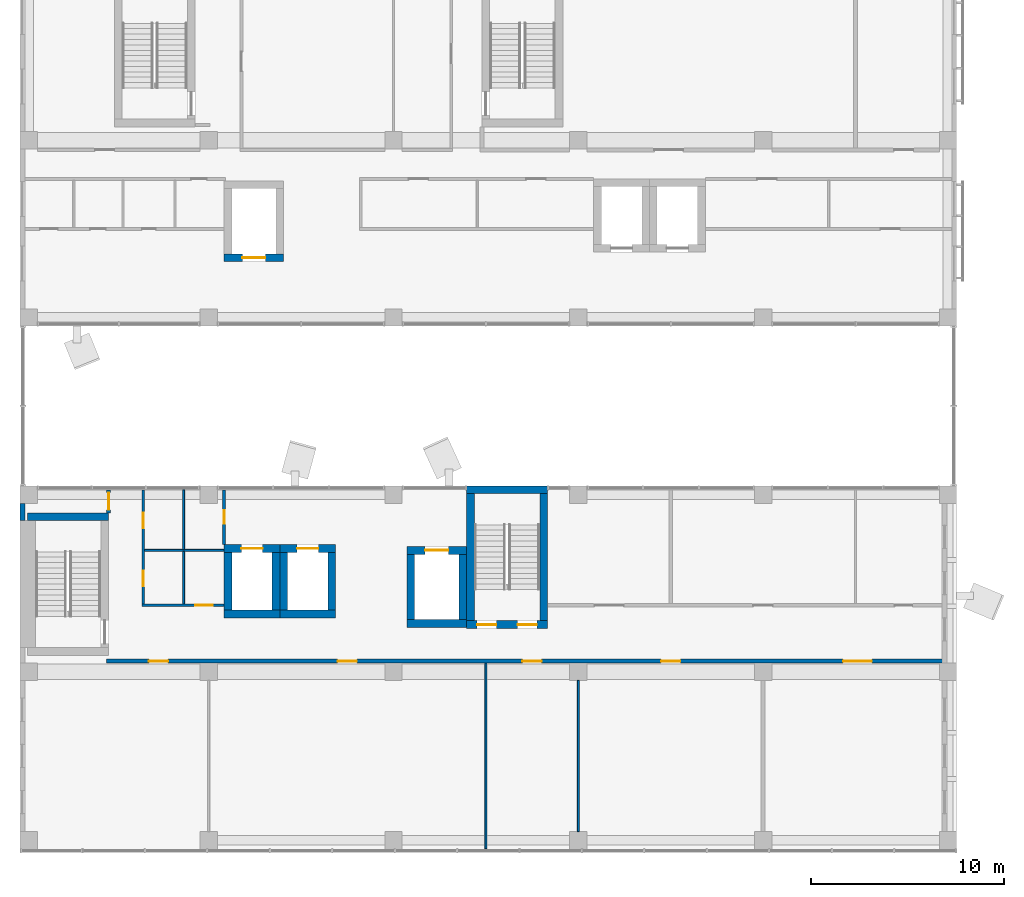
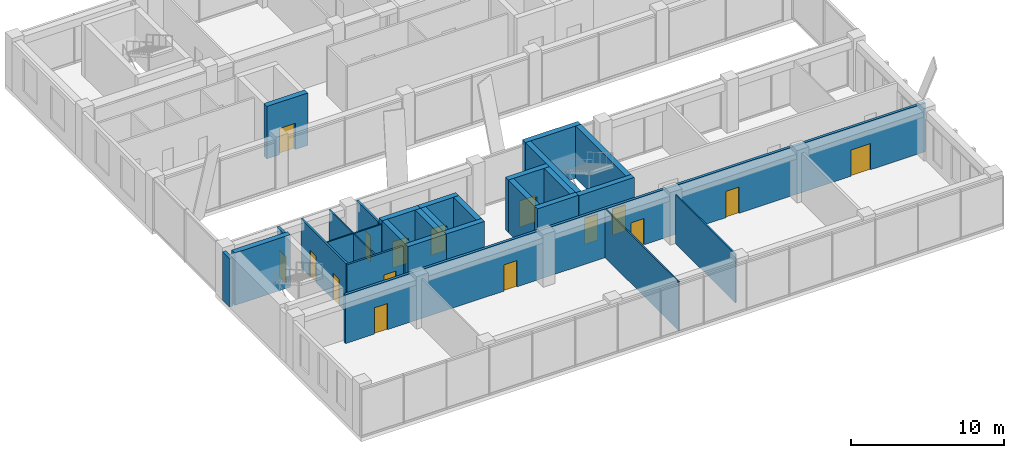
# One storey, part 27 of 36: 29 walls, 16 doors, 16 openings.
"""IFC4 building model written with IfcOpenShell, lengths in metres."""

from ifc_helpers import new_model, si_unit, direction, frame, frame_2d, origin, place, context, subcontext, project, spatial, rectangle, extrude, material, layer, layer_set, layer_usage, type_object, element, fill, save


model = new_model("IFC4")

# Units and contexts
model_context = context("Model", 3, precision=1e-05, world=origin(), true_north=direction((0.0, 1.0)))
body_context = subcontext(model_context, "Body", "Model", "MODEL_VIEW")
ifc_project = project(units=[si_unit("LENGTHUNIT", "METRE"), si_unit("AREAUNIT", "SQUARE_METRE"), si_unit("VOLUMEUNIT", "CUBIC_METRE"), si_unit("PLANEANGLEUNIT", "RADIAN"), si_unit("MASSUNIT", "GRAM", prefix="KILO")], contexts=[model_context])

# Site, building, storey
site_placement = place(None, origin())
site = spatial("IfcSite", under=ifc_project, at=site_placement, CompositionType="ELEMENT")
building_placement = place(site_placement, origin())
building = spatial("IfcBuilding", under=site, at=building_placement, Name="Nzadi Deep Aquarium and Research Tower", CompositionType="ELEMENT")
storey_placement = place(building_placement, frame((0.0, 0.0, 44.5)))
storey = spatial("IfcBuildingStorey", under=building, at=storey_placement, Name="L08", CompositionType="ELEMENT", Elevation=44.5)

# Walls
ifc_material_1 = material(Name="Graphite aluminium shingle", Category="aluminium")
ifc_layer_1 = layer(ifc_material_1, 0.050048828125, Category="cladding")
ifc_material_2 = material(Name="Concrete C35/45", Category="concrete")
ifc_layer_2 = layer(ifc_material_2, 0.10009765625, Category="cladding")
ifc_material_3 = material(Name="Mineral wool insulation")
ifc_layer_3 = layer(ifc_material_3, 0.070068359375, Category="insulation")
ifc_material_4 = material(Name="Gypsum board lining")
ifc_layer_4 = layer(ifc_material_4, 0.030029296875, Category="lining")
ifc_layer_set_1 = layer_set([ifc_layer_1, ifc_layer_2, ifc_layer_3, ifc_layer_4], Name="Graphite aluminium shingle, Concrete C35/45, Mineral wool insulation, Gypsum board lining")
ifc_layer_usage = layer_usage(ifc_layer_set_1, "AXIS2", "POSITIVE", -0.125)
wall_type_1 = type_object("IfcWallType", Name="End wall shingle over board-formed concrete 250", PredefinedType="ELEMENTEDWALL", material=ifc_layer_set_1)
wall_1_placement = place(storey_placement, frame((-0.074462890625, 17.949951171875, 0.0), z_axis=(0.0, 0.0, 1.0), x_axis=(0.0, -1.0, 0.0)))
element("IfcWall", 1, at=wall_1_placement, inside=storey, type_object=wall_type_1, material=ifc_layer_usage, Name="End wall blade A west L08", PredefinedType="ELEMENTEDWALL", context=body_context, shape_type="SweptSolid", body=[
    extrude(rectangle(XDim=0.89990234375, YDim=0.25, at=frame_2d((0.449951171875, 0.0))), origin(), (0.0, 0.0, 1.0), 3.89990234375),
])
ifc_material_5 = material(Name="Blockwork masonry", Category="masonry")
ifc_layer_5 = layer(ifc_material_5, 0.10009765625)
ifc_layer_set_2 = layer_set([ifc_layer_5], Name="Blockwork masonry")
wall_type_2 = type_object("IfcWallType", Name="Partition 100 EI 30", PredefinedType="PARTITIONING", material=ifc_layer_set_2)
wall_2_placement = place(storey_placement, frame((6.27490234375, 15.5, 0.0), z_axis=(0.0, 0.0, 1.0), x_axis=(1.0, 0.0, 0.0)))
element("IfcWall", 2, at=wall_2_placement, inside=storey, type_object=wall_type_2, Name="W-Z1-L08-P010", PredefinedType="PARTITIONING", context=body_context, shape_type="SweptSolid", body=[
    extrude(rectangle(XDim=4.119140625, YDim=0.10009765625, at=frame_2d((2.0595703125, 0.0))), origin(), (0.0, 0.0, 1.0), 3.89990234375),
])
wall_3_placement = place(storey_placement, frame((8.300048828125, 12.72509765625, 0.0), z_axis=(0.0, 0.0, 1.0), x_axis=(0.0, 1.0, 0.0)))
element("IfcWall", 3, at=wall_3_placement, inside=storey, type_object=wall_type_2, Name="W-Z1-L08-P012", PredefinedType="PARTITIONING", context=body_context, shape_type="SweptSolid", body=[
    extrude(rectangle(XDim=2.724853515625, YDim=0.10009765625, at=frame_2d((1.3623046875, 0.0))), origin(), (0.0, 0.0, 1.0), 3.89990234375),
])
wall_4_placement = place(storey_placement, frame((8.300048828125, 15.550048828125, 0.0), z_axis=(0.0, 0.0, 1.0), x_axis=(0.0, 1.0, 0.0)))
element("IfcWall", 4, at=wall_4_placement, inside=storey, type_object=wall_type_2, Name="W-Z1-L08-P013", PredefinedType="PARTITIONING", context=body_context, shape_type="SweptSolid", body=[
    extrude(rectangle(XDim=3.093994140625, YDim=0.10009765625, at=frame_2d((1.546875, 0.0))), origin(), (0.0, 0.0, 1.0), 3.89990234375),
])
wall_5_placement = place(storey_placement, frame((24.0, 0.006103515625, 0.0), z_axis=(0.0, 0.0, 1.0), x_axis=(0.0, 1.0, 0.0)))
element("IfcWall", 5, at=wall_5_placement, inside=storey, type_object=wall_type_2, Name="W-Z1-L08-P032", PredefinedType="PARTITIONING", context=body_context, shape_type="SweptSolid", body=[
    extrude(rectangle(XDim=9.643798828125, YDim=0.10009765625, at=frame_2d((4.82177734375, 0.0))), origin(), (0.0, 0.0, 1.0), 3.89990234375),
])
wall_6_placement = place(storey_placement, frame((28.800048828125, 0.89990234375, 0.0), z_axis=(0.0, 0.0, 1.0), x_axis=(0.0, 1.0, 0.0)))
element("IfcWall", 6, at=wall_6_placement, inside=storey, type_object=wall_type_2, Name="W-Z1-L08-P034", PredefinedType="PARTITIONING", context=body_context, shape_type="SweptSolid", body=[
    extrude(rectangle(XDim=7.85009765625, YDim=0.10009765625, at=frame_2d((3.925048828125, 0.0))), origin(), (0.0, 0.0, 1.0), 3.89990234375),
])

# Wall, opening, door
ifc_material_6 = material(Name="Blockwork masonry", Category="masonry")
ifc_layer_6 = layer(ifc_material_6, 0.14990234375)
ifc_layer_set_3 = layer_set([ifc_layer_6], Name="Blockwork masonry")
wall_type_3 = type_object("IfcWallType", Name="Partition 150 EI 60", PredefinedType="PARTITIONING", material=ifc_layer_set_3)
wall_7_placement = place(storey_placement, frame((6.125, 12.64990234375, 0.0), z_axis=(0.0, 0.0, 1.0), x_axis=(1.0, 0.0, 0.0)))
wall_7 = element("IfcWall", 7, at=wall_7_placement, inside=storey, type_object=wall_type_3, Name="W-Z1-L08-P008", PredefinedType="PARTITIONING", context=body_context, shape_type="SweptSolid", body=[
    extrude(rectangle(XDim=4.26904296875, YDim=0.14990234375, at=frame_2d((2.134521484375, 0.0))), origin(), (0.0, 0.0, 1.0), 3.89990234375),
])
opening_1_placement = place(wall_7_placement, frame((2.77490234375, 0.0, 0.0)))
opening_1 = element("IfcOpeningElement", 8, at=opening_1_placement, cuts=wall_7, Name="Opening D091003", PredefinedType="OPENING", context=body_context, shape_type="SweptSolid", body=[
    extrude(rectangle(XDim=0.89990234375, YDim=2.10009765625, at=frame_2d((0.449951171875, 1.050048828125))), frame((0.0, 0.0849609375, 0.0), z_axis=(0.0, -1.0, 0.0), x_axis=(1.0, 0.0, 0.0)), (0.0, 0.0, 1.0), 0.169921875),
])
ifc_material_7 = material(Name="Fire-rated steel door", Category="steel")
ifc_layer_7 = layer(ifc_material_7, 0.050048828125)
ifc_layer_set_4 = layer_set([ifc_layer_7], Name="Fire-rated steel door")
door_type_1 = type_object("IfcDoorType", Name="Door 900x2100 EI 60 single", OperationType="SINGLE_SWING_LEFT", PredefinedType="DOOR", material=ifc_layer_set_4)
door_1_placement = place(opening_1_placement, origin())
door_1 = element("IfcDoor", 9, at=door_1_placement, inside=storey, type_object=door_type_1, Name="D091003", OperationType="SINGLE_SWING_RIGHT", OverallHeight=2.10009765625, OverallWidth=0.89990234375, PredefinedType="DOOR", context=body_context, shape_type="SweptSolid", body=[
    extrude(rectangle(XDim=0.89990234375, YDim=2.10009765625, at=frame_2d((0.449951171875, 1.050048828125))), frame((0.0, 0.02490234375, 0.0), z_axis=(0.0, -1.0, 0.0), x_axis=(1.0, 0.0, 0.0)), (0.0, 0.0, 1.0), 0.050048828125),
])
fill(opening_1, door_1)

# Wall, openings, doors
wall_8_placement = place(storey_placement, frame((6.199951171875, 12.72509765625, 0.0), z_axis=(0.0, 0.0, 1.0), x_axis=(0.0, 1.0, 0.0)))
wall_8 = element("IfcWall", 10, at=wall_8_placement, inside=storey, type_object=wall_type_3, Name="W-Z1-L08-P009", PredefinedType="PARTITIONING", context=body_context, shape_type="SweptSolid", body=[
    extrude(rectangle(XDim=5.9189453125, YDim=0.14990234375, at=frame_2d((2.95947265625, 0.0))), origin(), (0.0, 0.0, 1.0), 3.89990234375),
])
opening_2_placement = place(wall_8_placement, frame((0.925048828125, 0.0, 0.0)))
opening_2 = element("IfcOpeningElement", 11, at=opening_2_placement, cuts=wall_8, Name="Opening D091002", PredefinedType="OPENING", context=body_context, shape_type="SweptSolid", body=[
    extrude(rectangle(XDim=0.800048828125, YDim=2.10009765625, at=frame_2d((0.39990234375, 1.050048828125))), frame((0.0, 0.0849609375, 0.0), z_axis=(0.0, -1.0, 0.0), x_axis=(1.0, 0.0, 0.0)), (0.0, 0.0, 1.0), 0.169921875),
])
opening_3_placement = place(wall_8_placement, frame((3.925048828125, 0.0, 0.0)))
opening_3 = element("IfcOpeningElement", 12, at=opening_3_placement, cuts=wall_8, Name="Opening D091004", PredefinedType="OPENING", context=body_context, shape_type="SweptSolid", body=[
    extrude(rectangle(XDim=0.800048828125, YDim=2.10009765625, at=frame_2d((0.39990234375, 1.050048828125))), frame((0.0, 0.0849609375, 0.0), z_axis=(0.0, -1.0, 0.0), x_axis=(1.0, 0.0, 0.0)), (0.0, 0.0, 1.0), 0.169921875),
])
ifc_material_8 = material(Name="Fire-rated steel door", Category="steel")
ifc_layer_8 = layer(ifc_material_8, 0.050048828125)
ifc_layer_set_5 = layer_set([ifc_layer_8], Name="Fire-rated steel door")
door_type_2 = type_object("IfcDoorType", Name="Door 800x2100 EI 60 single", OperationType="SINGLE_SWING_LEFT", PredefinedType="DOOR", material=ifc_layer_set_5)
door_2_placement = place(opening_2_placement, origin())
door_2 = element("IfcDoor", 13, at=door_2_placement, inside=storey, type_object=door_type_2, Name="D091002", OperationType="SINGLE_SWING_LEFT", OverallHeight=2.10009765625, OverallWidth=0.800048828125, PredefinedType="DOOR", context=body_context, shape_type="SweptSolid", body=[
    extrude(rectangle(XDim=0.800048828125, YDim=2.10009765625, at=frame_2d((0.39990234375, 1.050048828125))), frame((0.0, 0.02490234375, 0.0), z_axis=(0.0, -1.0, 0.0), x_axis=(1.0, 0.0, 0.0)), (0.0, 0.0, 1.0), 0.050048828125),
])
fill(opening_2, door_2)
door_3_placement = place(opening_3_placement, origin())
door_3 = element("IfcDoor", 14, at=door_3_placement, inside=storey, type_object=door_type_2, Name="D091004", OperationType="SINGLE_SWING_LEFT", OverallHeight=2.10009765625, OverallWidth=0.800048828125, PredefinedType="DOOR", context=body_context, shape_type="SweptSolid", body=[
    extrude(rectangle(XDim=0.800048828125, YDim=2.10009765625, at=frame_2d((0.39990234375, 1.050048828125))), frame((0.0, 0.02490234375, 0.0), z_axis=(0.0, -1.0, 0.0), x_axis=(1.0, 0.0, 0.0)), (0.0, 0.0, 1.0), 0.050048828125),
])
fill(opening_3, door_3)

# Wall, opening, door
wall_9_placement = place(storey_placement, frame((10.39990234375, 15.805908203125, 0.0), z_axis=(0.0, 0.0, 1.0), x_axis=(0.0, 1.0, 0.0)))
wall_9 = element("IfcWall", 15, at=wall_9_placement, inside=storey, type_object=wall_type_3, Name="W-Z1-L08-P019", PredefinedType="PARTITIONING", context=body_context, shape_type="SweptSolid", body=[
    extrude(rectangle(XDim=2.838134765625, YDim=0.14990234375, at=frame_2d((1.4189453125, 0.0))), origin(), (0.0, 0.0, 1.0), 3.89990234375),
])
opening_4_placement = place(wall_9_placement, frame((1.073974609375, 0.0, 0.0)))
opening_4 = element("IfcOpeningElement", 16, at=opening_4_placement, cuts=wall_9, Name="Opening D091005", PredefinedType="OPENING", context=body_context, shape_type="SweptSolid", body=[
    extrude(rectangle(XDim=0.699951171875, YDim=2.10009765625, at=frame_2d((0.35009765625, 1.050048828125))), frame((0.0, 0.0849609375, 0.0), z_axis=(0.0, -1.0, 0.0), x_axis=(1.0, 0.0, 0.0)), (0.0, 0.0, 1.0), 0.169921875),
])
ifc_material_9 = material(Name="Fire-rated steel door", Category="steel")
ifc_layer_9 = layer(ifc_material_9, 0.050048828125)
ifc_layer_set_6 = layer_set([ifc_layer_9], Name="Fire-rated steel door")
door_type_3 = type_object("IfcDoorType", Name="Door 700x2100 EI 60 single", OperationType="SINGLE_SWING_LEFT", PredefinedType="DOOR", material=ifc_layer_set_6)
door_4_placement = place(opening_4_placement, origin())
door_4 = element("IfcDoor", 17, at=door_4_placement, inside=storey, type_object=door_type_3, Name="D091005", OperationType="SINGLE_SWING_LEFT", OverallHeight=2.10009765625, OverallWidth=0.699951171875, PredefinedType="DOOR", context=body_context, shape_type="SweptSolid", body=[
    extrude(rectangle(XDim=0.699951171875, YDim=2.10009765625, at=frame_2d((0.35009765625, 1.050048828125))), frame((0.0, 0.02490234375, 0.0), z_axis=(0.0, -1.0, 0.0), x_axis=(1.0, 0.0, 0.0)), (0.0, 0.0, 1.0), 0.050048828125),
])
fill(opening_4, door_4)

# Wall, openings, doors
ifc_material_10 = material(Name="Blockwork masonry", Category="masonry")
ifc_layer_10 = layer(ifc_material_10, 0.199951171875)
ifc_layer_set_7 = layer_set([ifc_layer_10], Name="Blockwork masonry")
wall_type_4 = type_object("IfcWallType", Name="Partition 200 EI 120", PredefinedType="PARTITIONING", material=ifc_layer_set_7)
wall_10_placement = place(storey_placement, frame((4.300048828125, 9.75, 0.0), z_axis=(0.0, 0.0, 1.0), x_axis=(1.0, 0.0, 0.0)))
wall_10 = element("IfcWall", 18, at=wall_10_placement, inside=storey, type_object=wall_type_4, Name="W-Z1-L08-P005", PredefinedType="PARTITIONING", context=body_context, shape_type="SweptSolid", body=[
    extrude(rectangle(XDim=43.89404296875, YDim=0.199951171875, at=frame_2d((21.947021484375, 0.0))), origin(), (0.0, 0.0, 1.0), 3.89990234375),
])
opening_5_placement = place(wall_10_placement, frame((2.199951171875, 0.0, 0.0)))
opening_5 = element("IfcOpeningElement", 19, at=opening_5_placement, cuts=wall_10, Name="Opening D091006", PredefinedType="OPENING", context=body_context, shape_type="SweptSolid", body=[
    extrude(rectangle(XDim=1.0, YDim=2.10009765625, at=frame_2d((0.5, 1.050048828125))), frame((0.0, 0.110107421875, 0.0), z_axis=(0.0, -1.0, 0.0), x_axis=(1.0, 0.0, 0.0)), (0.0, 0.0, 1.0), 0.22021484375),
])
opening_6_placement = place(wall_10_placement, frame((12.0, 0.0, 0.0)))
opening_6 = element("IfcOpeningElement", 20, at=opening_6_placement, cuts=wall_10, Name="Opening D091007", PredefinedType="OPENING", context=body_context, shape_type="SweptSolid", body=[
    extrude(rectangle(XDim=1.0, YDim=2.10009765625, at=frame_2d((0.5, 1.050048828125))), frame((0.0, 0.110107421875, 0.0), z_axis=(0.0, -1.0, 0.0), x_axis=(1.0, 0.0, 0.0)), (0.0, 0.0, 1.0), 0.22021484375),
])
opening_7_placement = place(wall_10_placement, frame((21.60009765625, 0.0, 0.0)))
opening_7 = element("IfcOpeningElement", 21, at=opening_7_placement, cuts=wall_10, Name="Opening D091008", PredefinedType="OPENING", context=body_context, shape_type="SweptSolid", body=[
    extrude(rectangle(XDim=1.0, YDim=2.10009765625, at=frame_2d((0.5, 1.050048828125))), frame((0.0, 0.110107421875, 0.0), z_axis=(0.0, -1.0, 0.0), x_axis=(1.0, 0.0, 0.0)), (0.0, 0.0, 1.0), 0.22021484375),
])
opening_8_placement = place(wall_10_placement, frame((28.800048828125, 0.0, 0.0)))
opening_8 = element("IfcOpeningElement", 22, at=opening_8_placement, cuts=wall_10, Name="Opening D091009", PredefinedType="OPENING", context=body_context, shape_type="SweptSolid", body=[
    extrude(rectangle(XDim=1.0, YDim=2.10009765625, at=frame_2d((0.5, 1.050048828125))), frame((0.0, 0.110107421875, 0.0), z_axis=(0.0, -1.0, 0.0), x_axis=(1.0, 0.0, 0.0)), (0.0, 0.0, 1.0), 0.22021484375),
])
opening_9_placement = place(wall_10_placement, frame((38.25, 0.0, 0.0)))
opening_9 = element("IfcOpeningElement", 23, at=opening_9_placement, cuts=wall_10, Name="Opening D091010", PredefinedType="OPENING", context=body_context, shape_type="SweptSolid", body=[
    extrude(rectangle(XDim=1.5, YDim=2.10009765625, at=frame_2d((0.75, 1.050048828125))), frame((0.0, 0.110107421875, 0.0), z_axis=(0.0, -1.0, 0.0), x_axis=(1.0, 0.0, 0.0)), (0.0, 0.0, 1.0), 0.22021484375),
])
ifc_material_11 = material(Name="Fire-rated steel door", Category="steel")
ifc_layer_11 = layer(ifc_material_11, 0.050048828125)
ifc_layer_set_8 = layer_set([ifc_layer_11], Name="Fire-rated steel door")
door_type_4 = type_object("IfcDoorType", Name="Door 1000x2100 EI 120 single", OperationType="SINGLE_SWING_LEFT", PredefinedType="DOOR", material=ifc_layer_set_8)
door_5_placement = place(opening_5_placement, origin())
door_5 = element("IfcDoor", 24, at=door_5_placement, inside=storey, type_object=door_type_4, Name="D091006", OperationType="SINGLE_SWING_RIGHT", OverallHeight=2.10009765625, OverallWidth=1.0, PredefinedType="DOOR", context=body_context, shape_type="SweptSolid", body=[
    extrude(rectangle(XDim=1.0, YDim=2.10009765625, at=frame_2d((0.5, 1.050048828125))), frame((0.0, 0.02490234375, 0.0), z_axis=(0.0, -1.0, 0.0), x_axis=(1.0, 0.0, 0.0)), (0.0, 0.0, 1.0), 0.050048828125),
])
fill(opening_5, door_5)
door_6_placement = place(opening_6_placement, origin())
door_6 = element("IfcDoor", 25, at=door_6_placement, inside=storey, type_object=door_type_4, Name="D091007", OperationType="SINGLE_SWING_RIGHT", OverallHeight=2.10009765625, OverallWidth=1.0, PredefinedType="DOOR", context=body_context, shape_type="SweptSolid", body=[
    extrude(rectangle(XDim=1.0, YDim=2.10009765625, at=frame_2d((0.5, 1.050048828125))), frame((0.0, 0.02490234375, 0.0), z_axis=(0.0, -1.0, 0.0), x_axis=(1.0, 0.0, 0.0)), (0.0, 0.0, 1.0), 0.050048828125),
])
fill(opening_6, door_6)
door_7_placement = place(opening_7_placement, origin())
door_7 = element("IfcDoor", 26, at=door_7_placement, inside=storey, type_object=door_type_4, Name="D091008", OperationType="SINGLE_SWING_LEFT", OverallHeight=2.10009765625, OverallWidth=1.0, PredefinedType="DOOR", context=body_context, shape_type="SweptSolid", body=[
    extrude(rectangle(XDim=1.0, YDim=2.10009765625, at=frame_2d((0.5, 1.050048828125))), frame((0.0, 0.02490234375, 0.0), z_axis=(0.0, -1.0, 0.0), x_axis=(1.0, 0.0, 0.0)), (0.0, 0.0, 1.0), 0.050048828125),
])
fill(opening_7, door_7)
door_8_placement = place(opening_8_placement, origin())
door_8 = element("IfcDoor", 27, at=door_8_placement, inside=storey, type_object=door_type_4, Name="D091009", OperationType="SINGLE_SWING_RIGHT", OverallHeight=2.10009765625, OverallWidth=1.0, PredefinedType="DOOR", context=body_context, shape_type="SweptSolid", body=[
    extrude(rectangle(XDim=1.0, YDim=2.10009765625, at=frame_2d((0.5, 1.050048828125))), frame((0.0, 0.02490234375, 0.0), z_axis=(0.0, -1.0, 0.0), x_axis=(1.0, 0.0, 0.0)), (0.0, 0.0, 1.0), 0.050048828125),
])
fill(opening_8, door_8)
ifc_material_12 = material(Name="Fire-rated steel door", Category="steel")
ifc_layer_12 = layer(ifc_material_12, 0.050048828125)
ifc_layer_set_9 = layer_set([ifc_layer_12], Name="Fire-rated steel door")
door_type_5 = type_object("IfcDoorType", Name="Door 1500x2100 EI 120 double", OperationType="DOUBLE_DOOR_SINGLE_SWING", PredefinedType="DOOR", material=ifc_layer_set_9)
door_9_placement = place(opening_9_placement, origin())
door_9 = element("IfcDoor", 28, at=door_9_placement, inside=storey, type_object=door_type_5, Name="D091010", OperationType="DOUBLE_DOOR_SINGLE_SWING", OverallHeight=2.10009765625, OverallWidth=1.5, PredefinedType="DOOR", context=body_context, shape_type="SweptSolid", body=[
    extrude(rectangle(XDim=1.5, YDim=2.10009765625, at=frame_2d((0.75, 1.050048828125))), frame((0.0, 0.02490234375, 0.0), z_axis=(0.0, -1.0, 0.0), x_axis=(1.0, 0.0, 0.0)), (0.0, 0.0, 1.0), 0.050048828125),
])
fill(opening_9, door_9)

# Wall, opening, door
wall_11_placement = place(storey_placement, frame((4.39990234375, 17.4560546875, 0.0), z_axis=(0.0, 0.0, 1.0), x_axis=(0.0, 1.0, 0.0)))
wall_11 = element("IfcWall", 29, at=wall_11_placement, inside=storey, type_object=wall_type_4, Name="W-Z1-L08-P006", PredefinedType="PARTITIONING", context=body_context, shape_type="SweptSolid", body=[
    extrude(rectangle(XDim=1.18798828125, YDim=0.199951171875, at=frame_2d((0.593994140625, 0.0))), origin(), (0.0, 0.0, 1.0), 3.89990234375),
])
opening_10_placement = place(wall_11_placement, frame((0.14404296875, 0.0, 0.0)))
opening_10 = element("IfcOpeningElement", 30, at=opening_10_placement, cuts=wall_11, Name="Opening D091001", PredefinedType="OPENING", context=body_context, shape_type="SweptSolid", body=[
    extrude(rectangle(XDim=0.89990234375, YDim=2.10009765625, at=frame_2d((0.449951171875, 1.050048828125))), frame((0.0, 0.110107421875, 0.0), z_axis=(0.0, -1.0, 0.0), x_axis=(1.0, 0.0, 0.0)), (0.0, 0.0, 1.0), 0.22021484375),
])
ifc_material_13 = material(Name="Fire-rated steel door", Category="steel")
ifc_layer_13 = layer(ifc_material_13, 0.050048828125)
ifc_layer_set_10 = layer_set([ifc_layer_13], Name="Fire-rated steel door")
door_type_6 = type_object("IfcDoorType", Name="Door 900x2100 EI 120 single", OperationType="SINGLE_SWING_LEFT", PredefinedType="DOOR", material=ifc_layer_set_10)
door_10_placement = place(opening_10_placement, origin())
door_10 = element("IfcDoor", 31, at=door_10_placement, inside=storey, type_object=door_type_6, Name="D091001", OperationType="SINGLE_SWING_LEFT", OverallHeight=2.10009765625, OverallWidth=0.89990234375, PredefinedType="DOOR", context=body_context, shape_type="SweptSolid", body=[
    extrude(rectangle(XDim=0.89990234375, YDim=2.10009765625, at=frame_2d((0.449951171875, 1.050048828125))), frame((0.0, 0.02490234375, 0.0), z_axis=(0.0, -1.0, 0.0), x_axis=(1.0, 0.0, 0.0)), (0.0, 0.0, 1.0), 0.050048828125),
])
fill(opening_10, door_10)

# Wall
ifc_material_14 = material(Name="Concrete C35/45", Category="concrete")
ifc_layer_14 = layer(ifc_material_14, 0.39990234375)
ifc_layer_set_11 = layer_set([ifc_layer_14], Name="Concrete C35/45")
wall_type_5 = type_object("IfcWallType", Name="RC core wall 400", PredefinedType="SHEAR", material=ifc_layer_set_11)
wall_12_placement = place(storey_placement, frame((0.199951171875, 17.25, 0.0), z_axis=(0.0, 0.0, 1.0), x_axis=(1.0, 0.0, 0.0)))
element("IfcWall", 32, at=wall_12_placement, inside=storey, type_object=wall_type_5, Name="W-CORE-ST-Z1-SW-L08-N", PredefinedType="SHEAR", context=body_context, shape_type="SweptSolid", body=[
    extrude(rectangle(XDim=4.199951171875, YDim=0.39990234375, at=frame_2d((2.10009765625, 0.0))), origin(), (0.0, 0.0, 1.0), 4.199951171875),
])

# Wall, openings, doors
wall_13_placement = place(storey_placement, frame((23.0, 11.64990234375, 0.0), z_axis=(0.0, 0.0, 1.0), x_axis=(1.0, 0.0, 0.0)))
wall_13 = element("IfcWall", 33, at=wall_13_placement, inside=storey, type_object=wall_type_5, Name="W-CORE-ST-Z1-SE-L08-S", PredefinedType="SHEAR", context=body_context, shape_type="SweptSolid", body=[
    extrude(rectangle(XDim=4.199951171875, YDim=0.39990234375, at=frame_2d((2.10009765625, 0.0))), origin(), (0.0, 0.0, 1.0), 4.199951171875),
])
opening_11_placement = place(wall_13_placement, frame((0.550048828125, 0.0, 0.0)))
opening_11 = element("IfcOpeningElement", 34, at=opening_11_placement, cuts=wall_13, Name="Opening DS-Z1-SE-L08A", PredefinedType="OPENING", context=body_context, shape_type="SweptSolid", body=[
    extrude(rectangle(XDim=1.0, YDim=2.10009765625, at=frame_2d((0.5, 1.050048828125))), frame((0.0, 0.2099609375, 0.0), z_axis=(0.0, -1.0, 0.0), x_axis=(1.0, 0.0, 0.0)), (0.0, 0.0, 1.0), 0.419921875),
])
opening_12_placement = place(wall_13_placement, frame((2.64990234375, 0.0, 0.0)))
opening_12 = element("IfcOpeningElement", 35, at=opening_12_placement, cuts=wall_13, Name="Opening DS-Z1-SE-L08B", PredefinedType="OPENING", context=body_context, shape_type="SweptSolid", body=[
    extrude(rectangle(XDim=1.0, YDim=2.10009765625, at=frame_2d((0.5, 1.050048828125))), frame((0.0, 0.2099609375, 0.0), z_axis=(0.0, -1.0, 0.0), x_axis=(1.0, 0.0, 0.0)), (0.0, 0.0, 1.0), 0.419921875),
])
ifc_material_15 = material(Name="Steel, powder coated", Category="steel")
door_type_7 = type_object("IfcDoorType", Name="STAIR DOOR 1000x2100 EI 60", OperationType="SINGLE_SWING_LEFT", PredefinedType="DOOR", material=ifc_material_15)
door_11_placement = place(opening_11_placement, origin())
door_11 = element("IfcDoor", 36, at=door_11_placement, inside=storey, type_object=door_type_7, Name="Stair door ST-Z1-SE L08 A", OperationType="SINGLE_SWING_RIGHT", OverallHeight=2.10009765625, OverallWidth=1.0, PredefinedType="DOOR", context=body_context, shape_type="SweptSolid", body=[
    extrude(rectangle(XDim=1.0, YDim=2.10009765625, at=frame_2d((0.5, 1.050048828125))), frame((0.0, 0.02490234375, 0.0), z_axis=(0.0, -1.0, 0.0), x_axis=(1.0, 0.0, 0.0)), (0.0, 0.0, 1.0), 0.050048828125),
])
fill(opening_11, door_11)
door_12_placement = place(opening_12_placement, origin())
door_12 = element("IfcDoor", 37, at=door_12_placement, inside=storey, type_object=door_type_7, Name="Stair door ST-Z1-SE L08 B", OperationType="SINGLE_SWING_LEFT", OverallHeight=2.10009765625, OverallWidth=1.0, PredefinedType="DOOR", context=body_context, shape_type="SweptSolid", body=[
    extrude(rectangle(XDim=1.0, YDim=2.10009765625, at=frame_2d((0.5, 1.050048828125))), frame((0.0, 0.02490234375, 0.0), z_axis=(0.0, -1.0, 0.0), x_axis=(1.0, 0.0, 0.0)), (0.0, 0.0, 1.0), 0.050048828125),
])
fill(opening_12, door_12)

# Walls
wall_14_placement = place(storey_placement, frame((23.0, 18.64990234375, 0.0), z_axis=(0.0, 0.0, 1.0), x_axis=(1.0, 0.0, 0.0)))
element("IfcWall", 38, at=wall_14_placement, inside=storey, type_object=wall_type_5, Name="W-CORE-ST-Z1-SE-L08-N", PredefinedType="SHEAR", context=body_context, shape_type="SweptSolid", body=[
    extrude(rectangle(XDim=4.199951171875, YDim=0.39990234375, at=frame_2d((2.10009765625, 0.0))), origin(), (0.0, 0.0, 1.0), 4.199951171875),
])
for number, where, z_axis, x_axis, name in (
    (39, (23.199951171875, 11.85009765625, 0.0), (0.0, 0.0, 1.0), (0.0, 1.0, 0.0), "W-CORE-ST-Z1-SE-L08-W"),
    (40, (27.0, 11.85009765625, 0.0), (0.0, 0.0, 1.0), (0.0, 1.0, 0.0), "W-CORE-ST-Z1-SE-L08-E"),
):
    element("IfcWall", number, at=place(storey_placement, frame(where, z_axis=z_axis, x_axis=x_axis)), inside=storey, type_object=wall_type_5, Name=name, PredefinedType="SHEAR", context=body_context, shape_type="SweptSolid", body=[
        extrude(rectangle(XDim=6.599853515625, YDim=0.39990234375, at=frame_2d((3.2998046875, 0.0))), origin(), (0.0, 0.0, 1.0), 4.199951171875),
    ])
wall_15_placement = place(storey_placement, frame((10.39990234375, 12.199951171875, 0.0), z_axis=(0.0, 0.0, 1.0), x_axis=(1.0, 0.0, 0.0)))
element("IfcWall", 41, at=wall_15_placement, inside=storey, type_object=wall_type_5, Name="W-CORE-TL1-L08-S", PredefinedType="SHEAR", context=body_context, shape_type="SweptSolid", body=[
    extrude(rectangle(XDim=2.900146484375, YDim=0.39990234375, at=frame_2d((1.4501953125, 0.0))), origin(), (0.0, 0.0, 1.0), 4.199951171875),
])

# Wall, opening, door
wall_16_placement = place(storey_placement, frame((10.39990234375, 15.60009765625, 0.0), z_axis=(0.0, 0.0, 1.0), x_axis=(1.0, 0.0, 0.0)))
wall_16 = element("IfcWall", 42, at=wall_16_placement, inside=storey, type_object=wall_type_5, Name="W-CORE-TL1-L08-N", PredefinedType="SHEAR", context=body_context, shape_type="SweptSolid", body=[
    extrude(rectangle(XDim=2.900146484375, YDim=0.39990234375, at=frame_2d((1.4501953125, 0.0))), origin(), (0.0, 0.0, 1.0), 4.199951171875),
])
opening_13_placement = place(wall_16_placement, frame((0.89990234375, 0.0, 0.0)))
opening_13 = element("IfcOpeningElement", 43, at=opening_13_placement, cuts=wall_16, Name="Opening LD-TL1-L08", PredefinedType="OPENING", context=body_context, shape_type="SweptSolid", body=[
    extrude(rectangle(XDim=1.10009765625, YDim=2.10009765625, at=frame_2d((0.550048828125, 1.050048828125))), frame((0.0, 0.2099609375, 0.0), z_axis=(0.0, -1.0, 0.0), x_axis=(1.0, 0.0, 0.0)), (0.0, 0.0, 1.0), 0.419921875),
])
ifc_material_16 = material(Name="Stainless steel 1.4301", Category="steel")
door_type_8 = type_object("IfcDoorType", Name="LANDING DOOR 1100x2100", OperationType="DOUBLE_DOOR_SLIDING", PredefinedType="DOOR", material=ifc_material_16)
door_13_placement = place(opening_13_placement, origin())
door_13 = element("IfcDoor", 44, at=door_13_placement, inside=storey, type_object=door_type_8, Name="Landing door TL1 L08", OperationType="DOUBLE_DOOR_SLIDING", OverallHeight=2.10009765625, OverallWidth=1.10009765625, PredefinedType="DOOR", context=body_context, shape_type="SweptSolid", body=[
    extrude(rectangle(XDim=1.10009765625, YDim=2.10009765625, at=frame_2d((0.550048828125, 1.050048828125))), frame((0.0, 0.02490234375, 0.0), z_axis=(0.0, -1.0, 0.0), x_axis=(1.0, 0.0, 0.0)), (0.0, 0.0, 1.0), 0.050048828125),
])
fill(opening_13, door_13)

# Walls
for number, where, z_axis, x_axis, name in (
    (45, (10.60009765625, 12.39990234375, 0.0), (0.0, 0.0, 1.0), (0.0, 1.0, 0.0), "W-CORE-TL1-L08-W"),
    (46, (13.10009765625, 12.39990234375, 0.0), (0.0, 0.0, 1.0), (0.0, 1.0, 0.0), "W-CORE-TL1-L08-E"),
):
    element("IfcWall", number, at=place(storey_placement, frame(where, z_axis=z_axis, x_axis=x_axis)), inside=storey, type_object=wall_type_5, Name=name, PredefinedType="SHEAR", context=body_context, shape_type="SweptSolid", body=[
        extrude(rectangle(XDim=3.0, YDim=0.39990234375, at=frame_2d((1.5, 0.0))), origin(), (0.0, 0.0, 1.0), 4.199951171875),
    ])
wall_17_placement = place(storey_placement, frame((13.300048828125, 12.199951171875, 0.0), z_axis=(0.0, 0.0, 1.0), x_axis=(1.0, 0.0, 0.0)))
element("IfcWall", 47, at=wall_17_placement, inside=storey, type_object=wall_type_5, Name="W-CORE-TL2-L08-S", PredefinedType="SHEAR", context=body_context, shape_type="SweptSolid", body=[
    extrude(rectangle(XDim=2.89990234375, YDim=0.39990234375, at=frame_2d((1.449951171875, 0.0))), origin(), (0.0, 0.0, 1.0), 4.199951171875),
])

# Wall, opening, door
wall_18_placement = place(storey_placement, frame((13.300048828125, 15.60009765625, 0.0), z_axis=(0.0, 0.0, 1.0), x_axis=(1.0, 0.0, 0.0)))
wall_18 = element("IfcWall", 48, at=wall_18_placement, inside=storey, type_object=wall_type_5, Name="W-CORE-TL2-L08-N", PredefinedType="SHEAR", context=body_context, shape_type="SweptSolid", body=[
    extrude(rectangle(XDim=2.89990234375, YDim=0.39990234375, at=frame_2d((1.449951171875, 0.0))), origin(), (0.0, 0.0, 1.0), 4.199951171875),
])
opening_14_placement = place(wall_18_placement, frame((0.89990234375, 0.0, 0.0)))
opening_14 = element("IfcOpeningElement", 49, at=opening_14_placement, cuts=wall_18, Name="Opening LD-TL2-L08", PredefinedType="OPENING", context=body_context, shape_type="SweptSolid", body=[
    extrude(rectangle(XDim=1.10009765625, YDim=2.10009765625, at=frame_2d((0.550048828125, 1.050048828125))), frame((0.0, 0.2099609375, 0.0), z_axis=(0.0, -1.0, 0.0), x_axis=(1.0, 0.0, 0.0)), (0.0, 0.0, 1.0), 0.419921875),
])
door_14_placement = place(opening_14_placement, origin())
door_14 = element("IfcDoor", 50, at=door_14_placement, inside=storey, type_object=door_type_8, Name="Landing door TL2 L08", OperationType="DOUBLE_DOOR_SLIDING", OverallHeight=2.10009765625, OverallWidth=1.10009765625, PredefinedType="DOOR", context=body_context, shape_type="SweptSolid", body=[
    extrude(rectangle(XDim=1.10009765625, YDim=2.10009765625, at=frame_2d((0.550048828125, 1.050048828125))), frame((0.0, 0.02490234375, 0.0), z_axis=(0.0, -1.0, 0.0), x_axis=(1.0, 0.0, 0.0)), (0.0, 0.0, 1.0), 0.050048828125),
])
fill(opening_14, door_14)

# Walls
for number, where, z_axis, x_axis, name in (
    (51, (13.5, 12.39990234375, 0.0), (0.0, 0.0, 1.0), (0.0, 1.0, 0.0), "W-CORE-TL2-L08-W"),
    (52, (16.0, 12.39990234375, 0.0), (0.0, 0.0, 1.0), (0.0, 1.0, 0.0), "W-CORE-TL2-L08-E"),
):
    element("IfcWall", number, at=place(storey_placement, frame(where, z_axis=z_axis, x_axis=x_axis)), inside=storey, type_object=wall_type_5, Name=name, PredefinedType="SHEAR", context=body_context, shape_type="SweptSolid", body=[
        extrude(rectangle(XDim=3.0, YDim=0.39990234375, at=frame_2d((1.5, 0.0))), origin(), (0.0, 0.0, 1.0), 4.199951171875),
    ])
wall_19_placement = place(storey_placement, frame((19.89990234375, 11.699951171875, 0.0), z_axis=(0.0, 0.0, 1.0), x_axis=(1.0, 0.0, 0.0)))
element("IfcWall", 53, at=wall_19_placement, inside=storey, type_object=wall_type_5, Name="W-CORE-FL1-L08-S", PredefinedType="SHEAR", context=body_context, shape_type="SweptSolid", body=[
    extrude(rectangle(XDim=3.10009765625, YDim=0.39990234375, at=frame_2d((1.550048828125, 0.0))), origin(), (0.0, 0.0, 1.0), 4.199951171875),
])

# Wall, opening, door
wall_20_placement = place(storey_placement, frame((19.89990234375, 15.5, 0.0), z_axis=(0.0, 0.0, 1.0), x_axis=(1.0, 0.0, 0.0)))
wall_20 = element("IfcWall", 54, at=wall_20_placement, inside=storey, type_object=wall_type_5, Name="W-CORE-FL1-L08-N", PredefinedType="SHEAR", context=body_context, shape_type="SweptSolid", body=[
    extrude(rectangle(XDim=3.10009765625, YDim=0.39990234375, at=frame_2d((1.550048828125, 0.0))), origin(), (0.0, 0.0, 1.0), 4.199951171875),
])
opening_15_placement = place(wall_20_placement, frame((0.949951171875, 0.0, 0.0)))
opening_15 = element("IfcOpeningElement", 55, at=opening_15_placement, cuts=wall_20, Name="Opening LD-FL1-L08", PredefinedType="OPENING", context=body_context, shape_type="SweptSolid", body=[
    extrude(rectangle(XDim=1.199951171875, YDim=2.10009765625, at=frame_2d((0.60009765625, 1.050048828125))), frame((0.0, 0.2099609375, 0.0), z_axis=(0.0, -1.0, 0.0), x_axis=(1.0, 0.0, 0.0)), (0.0, 0.0, 1.0), 0.419921875),
])
ifc_material_17 = material(Name="Stainless steel 1.4301", Category="steel")
door_type_9 = type_object("IfcDoorType", Name="LANDING DOOR 1200x2100", OperationType="DOUBLE_DOOR_SLIDING", PredefinedType="DOOR", material=ifc_material_17)
door_15_placement = place(opening_15_placement, origin())
door_15 = element("IfcDoor", 56, at=door_15_placement, inside=storey, type_object=door_type_9, Name="Landing door FL1 L08", OperationType="DOUBLE_DOOR_SLIDING", OverallHeight=2.10009765625, OverallWidth=1.199951171875, PredefinedType="DOOR", context=body_context, shape_type="SweptSolid", body=[
    extrude(rectangle(XDim=1.199951171875, YDim=2.10009765625, at=frame_2d((0.60009765625, 1.050048828125))), frame((0.0, 0.02490234375, 0.0), z_axis=(0.0, -1.0, 0.0), x_axis=(1.0, 0.0, 0.0)), (0.0, 0.0, 1.0), 0.050048828125),
])
fill(opening_15, door_15)

# Walls
for number, where, z_axis, x_axis, name in (
    (57, (20.10009765625, 11.89990234375, 0.0), (0.0, 0.0, 1.0), (0.0, 1.0, 0.0), "W-CORE-FL1-L08-W"),
    (58, (22.800048828125, 11.89990234375, 0.0), (0.0, 0.0, 1.0), (0.0, 1.0, 0.0), "W-CORE-FL1-L08-E"),
):
    element("IfcWall", number, at=place(storey_placement, frame(where, z_axis=z_axis, x_axis=x_axis)), inside=storey, type_object=wall_type_5, Name=name, PredefinedType="SHEAR", context=body_context, shape_type="SweptSolid", body=[
        extrude(rectangle(XDim=3.400146484375, YDim=0.39990234375, at=frame_2d((1.7001953125, 0.0))), origin(), (0.0, 0.0, 1.0), 4.199951171875),
    ])

# Wall, opening, door
wall_21_placement = place(storey_placement, frame((10.39990234375, 30.699951171875, 0.0), z_axis=(0.0, 0.0, 1.0), x_axis=(1.0, 0.0, 0.0)))
wall_21 = element("IfcWall", 59, at=wall_21_placement, inside=storey, type_object=wall_type_5, Name="W-CORE-FL2-L08-S", PredefinedType="SHEAR", context=body_context, shape_type="SweptSolid", body=[
    extrude(rectangle(XDim=3.10009765625, YDim=0.39990234375, at=frame_2d((1.550048828125, 0.0))), origin(), (0.0, 0.0, 1.0), 4.199951171875),
])
opening_16_placement = place(wall_21_placement, frame((0.949951171875, 0.0, 0.0)))
opening_16 = element("IfcOpeningElement", 60, at=opening_16_placement, cuts=wall_21, Name="Opening LD-FL2-L08", PredefinedType="OPENING", context=body_context, shape_type="SweptSolid", body=[
    extrude(rectangle(XDim=1.199951171875, YDim=2.10009765625, at=frame_2d((0.60009765625, 1.050048828125))), frame((0.0, 0.2099609375, 0.0), z_axis=(0.0, -1.0, 0.0), x_axis=(1.0, 0.0, 0.0)), (0.0, 0.0, 1.0), 0.419921875),
])
door_16_placement = place(opening_16_placement, origin())
door_16 = element("IfcDoor", 61, at=door_16_placement, inside=storey, type_object=door_type_9, Name="Landing door FL2 L08", OperationType="DOUBLE_DOOR_SLIDING", OverallHeight=2.10009765625, OverallWidth=1.199951171875, PredefinedType="DOOR", context=body_context, shape_type="SweptSolid", body=[
    extrude(rectangle(XDim=1.199951171875, YDim=2.10009765625, at=frame_2d((0.60009765625, 1.050048828125))), frame((0.0, 0.02490234375, 0.0), z_axis=(0.0, -1.0, 0.0), x_axis=(1.0, 0.0, 0.0)), (0.0, 0.0, 1.0), 0.050048828125),
])
fill(opening_16, door_16)

save(model, "model.ifc")
